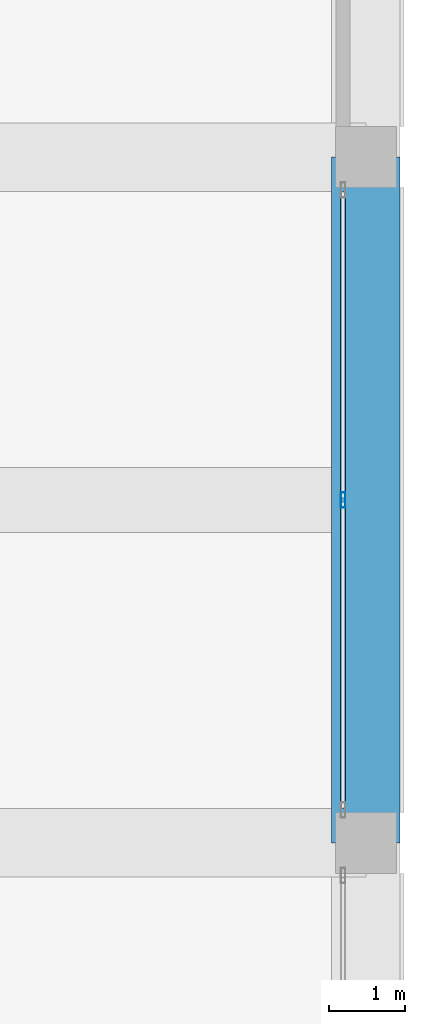
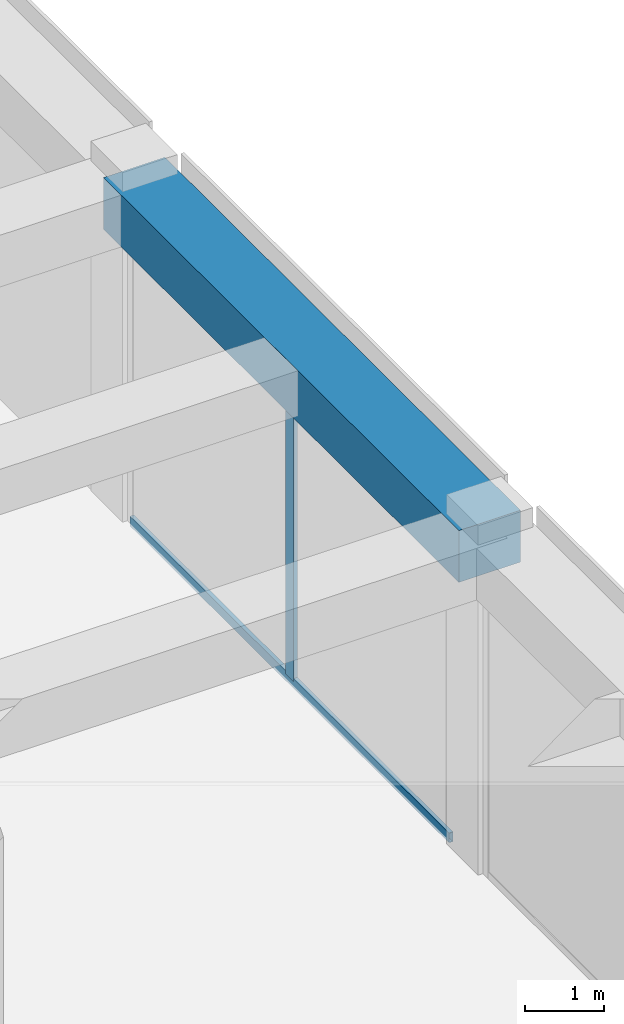
# One storey, part 35 of 45: 2 members, 1 beam, 1 element without a shape of its own.
"""IFC4 building model written with IfcOpenShell, lengths in metres."""

from ifc_helpers import new_model, si_unit, direction, frame, origin, origin_2d, place, context, subcontext, project, spatial, rectangle, hollow_rectangle, extrude, material, material_profile, profile_set, type_object, element, aggregate, save


model = new_model("IFC4")

# Units and contexts
model_context = context("Model", 3, precision=1e-05, world=origin(), true_north=direction((0.0, 1.0)))
body_context = subcontext(model_context, "Body", "Model", "MODEL_VIEW")
ifc_project = project(units=[si_unit("LENGTHUNIT", "METRE"), si_unit("AREAUNIT", "SQUARE_METRE"), si_unit("VOLUMEUNIT", "CUBIC_METRE"), si_unit("PLANEANGLEUNIT", "RADIAN"), si_unit("MASSUNIT", "GRAM", prefix="KILO")], contexts=[model_context])

# Site, building, storey
site_placement = place(None, origin())
site = spatial("IfcSite", under=ifc_project, at=site_placement, CompositionType="ELEMENT")
building_placement = place(site_placement, origin())
building = spatial("IfcBuilding", under=site, at=building_placement, Name="Zorevar Civic Tower", CompositionType="ELEMENT")
storey_placement = place(building_placement, frame((0.0, 0.0, 5.39990234375)))
storey = spatial("IfcBuildingStorey", under=building, at=storey_placement, Name="L01", CompositionType="ELEMENT", Elevation=5.39990234375)

# Curtain wall, members
ifc_material_1 = material(Name="Dark grey solar-control glass in black aluminium frame", Category="aluminium")
curtain_wall_type = type_object("IfcCurtainWallType", Name="Curtain wall CW1 podium", PredefinedType="NOTDEFINED", material=ifc_material_1)
curtain_wall_placement = place(storey_placement, origin())
curtain_wall = element("IfcCurtainWall", 1, at=curtain_wall_placement, inside=storey, type_object=curtain_wall_type, Name="CW1 L01", PredefinedType="NOTDEFINED")
ifc_material_2 = material(Name="Aluminium, black anodised", Category="aluminium")
ifc_material_profile_1 = material_profile(ifc_material_2, hollow_rectangle(XDim=0.06005859375, YDim=0.199951171875, WallThickness=0.00390625, at=origin_2d()), Name="AL 200x60x4")
ifc_profile_set_1 = profile_set([ifc_material_profile_1], Name="Aluminium, black anodised")
member_type_1 = type_object("IfcMemberType", Name="CW1 mullion AL 200x60x4", PredefinedType="MULLION", material=ifc_profile_set_1)
member_1_placement = place(storey_placement, frame((71.699951171875, 31.5, 0.06005859375), z_axis=(0.0, 0.0, 1.0), x_axis=(-1.0, 0.0, 0.0)))
member_1 = element("IfcMember", 2, at=member_1_placement, type_object=member_type_1, Name="CW1 mullion 2", PredefinedType="MULLION", context=body_context, shape_type="SweptSolid", body=[
    extrude(hollow_rectangle(XDim=0.06005859375, YDim=0.199951171875, WallThickness=0.00390625, at=origin_2d()), origin(), (0.0, 0.0, 1.0), 4.239990234375),
])
ifc_material_3 = material(Name="Aluminium, black anodised", Category="aluminium")
ifc_material_profile_2 = material_profile(ifc_material_3, hollow_rectangle(XDim=0.06005859375, YDim=0.14990234375, WallThickness=0.00390625, at=origin_2d()), Name="AL 150x60x4")
ifc_profile_set_2 = profile_set([ifc_material_profile_2], Name="Aluminium, black anodised")
member_type_2 = type_object("IfcMemberType", Name="CW1 transom AL 150x60x4", PredefinedType="USERDEFINED", material=ifc_profile_set_2)
member_2_placement = place(storey_placement, frame((71.699951171875, 27.4599609375, 0.030029296875), z_axis=(0.0, 1.0, 0.0), x_axis=(-1.0, 0.0, 0.0)))
member_2 = element("IfcMember", 3, at=member_2_placement, type_object=member_type_2, Name="CW1 sill transom", ObjectType="TRANSOM", PredefinedType="USERDEFINED", context=body_context, shape_type="SweptSolid", body=[
    extrude(hollow_rectangle(XDim=0.06005859375, YDim=0.14990234375, WallThickness=0.00390625, at=origin_2d()), origin(), (0.0, 0.0, 1.0), 8.080078125),
])
aggregate(curtain_wall, [member_1, member_2])

# Beam
ifc_material_4 = material(Name="Concrete C50/60", Category="concrete")
ifc_material_profile_3 = material_profile(ifc_material_4, rectangle(XDim=0.89990234375, YDim=0.800048828125, at=origin_2d()), Name="RC 900x800")
ifc_profile_set_3 = profile_set([ifc_material_profile_3], Name="Concrete C50/60")
beam_type = type_object("IfcBeamType", Name="Edge beam RC 900x800", PredefinedType="SPANDREL", material=ifc_profile_set_3)
beam_placement = place(storey_placement, frame((72.0, 27.0, 4.7001953125), z_axis=(0.0, 1.0, 0.0), x_axis=(-1.0, 0.0, 0.0)))
element("IfcBeam", 4, at=beam_placement, inside=storey, type_object=beam_type, Name="Edge beam L02", PredefinedType="SPANDREL", context=body_context, shape_type="SweptSolid", body=[
    extrude(rectangle(XDim=0.89990234375, YDim=0.800048828125, at=origin_2d()), origin(), (0.0, 0.0, 1.0), 9.0),
])

save(model, "model.ifc")
